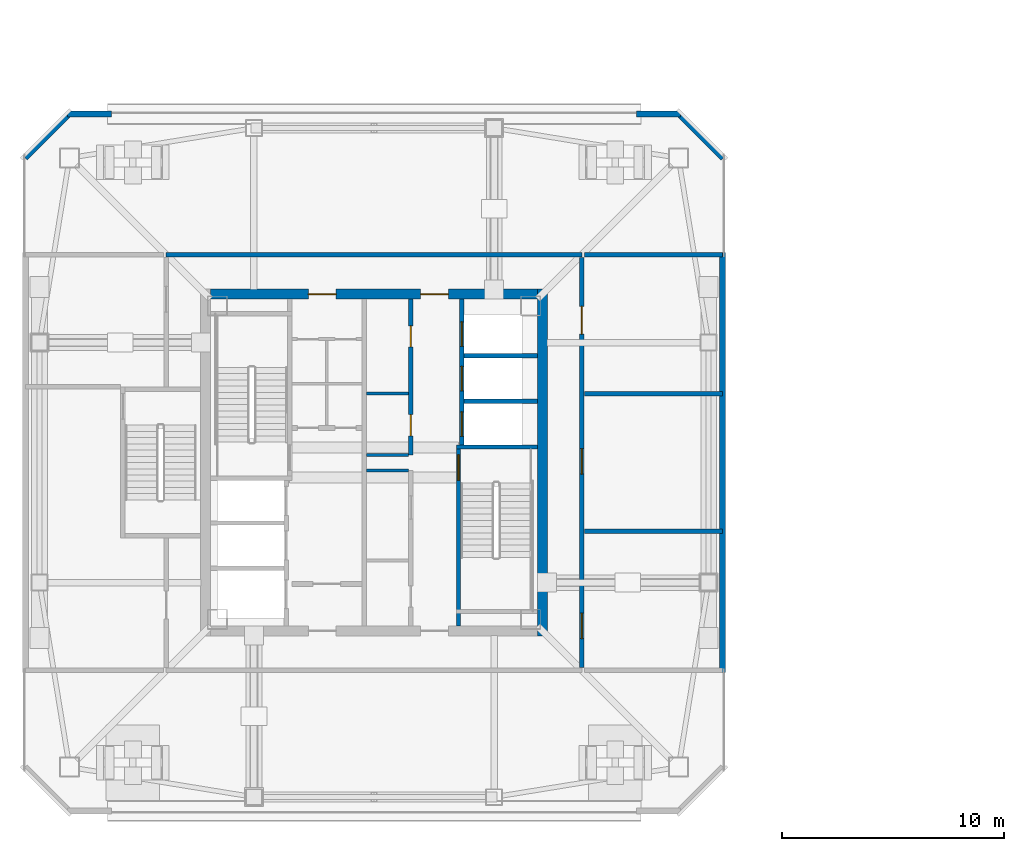
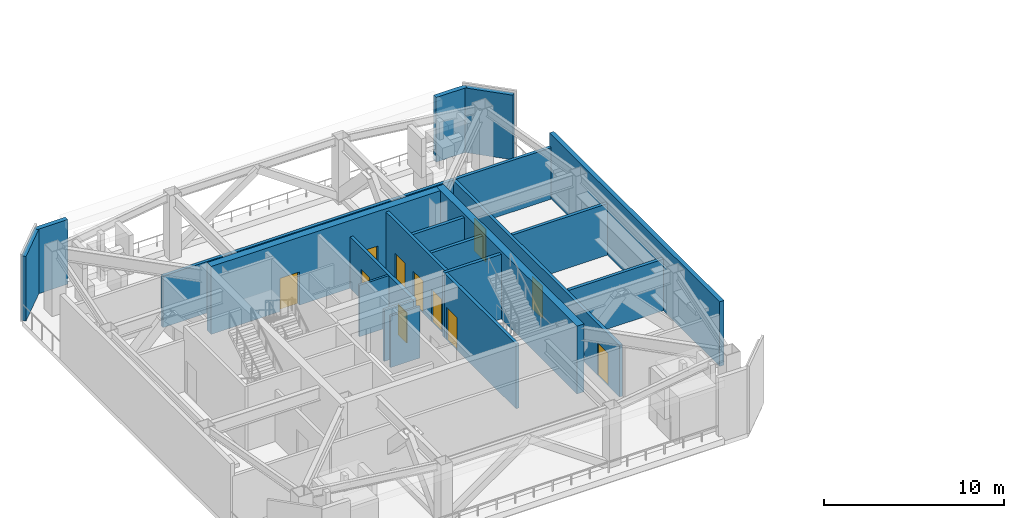
# One storey, part 6 of 15: 21 walls, 11 doors, 11 openings.
"""IFC4 building model written with IfcOpenShell, lengths in metres."""

from ifc_helpers import new_model, si_unit, direction, frame, frame_2d, origin, place, context, subcontext, project, spatial, rectangle, extrude, material, layer, layer_set, type_object, element, fill, save


model = new_model("IFC4")

# Units and contexts
model_context = context("Model", 3, precision=1e-05, world=origin(), true_north=direction((0.0, 1.0)))
body_context = subcontext(model_context, "Body", "Model", "MODEL_VIEW")
ifc_project = project(units=[si_unit("LENGTHUNIT", "METRE"), si_unit("AREAUNIT", "SQUARE_METRE"), si_unit("VOLUMEUNIT", "CUBIC_METRE"), si_unit("PLANEANGLEUNIT", "RADIAN"), si_unit("MASSUNIT", "GRAM", prefix="KILO")], contexts=[model_context])

# Site, building, storey
site_placement = place(None, origin())
site = spatial("IfcSite", under=ifc_project, at=site_placement, CompositionType="ELEMENT")
building_placement = place(site_placement, origin())
building = spatial("IfcBuilding", under=site, at=building_placement, Name="Tashvorn Skyway Center", CompositionType="ELEMENT")
storey_placement = place(building_placement, frame((0.0, 0.0, 246.800048828125)))
storey = spatial("IfcBuildingStorey", under=building, at=storey_placement, Name="L67", CompositionType="ELEMENT", Elevation=246.800048828125)

# Wall
ifc_material_1 = material(Name="Concrete C50/60", Category="concrete")
ifc_layer_1 = layer(ifc_material_1, 0.449951171875)
ifc_layer_set_1 = layer_set([ifc_layer_1], Name="Concrete C50/60")
wall_type_1 = type_object("IfcWallType", Name="WALL-CORE-450", PredefinedType="SHEAR", material=ifc_layer_set_1)
wall_1_placement = place(storey_placement, frame((49.574951171875, 39.800048828125, 0.0), z_axis=(0.0, 0.0, 1.0), x_axis=(0.0, -1.0, 0.0)))
element("IfcWall", 1, at=wall_1_placement, inside=storey, type_object=wall_type_1, Name="Tower 1 L67 East Core Shear Wall", PredefinedType="SHEAR", context=body_context, shape_type="SweptSolid", body=[
    extrude(rectangle(XDim=15.60009765625, YDim=0.449951171875, at=frame_2d((7.800048828125, 0.0))), origin(), (0.0, 0.0, 1.0), 4.599853515625),
])

# Wall, openings, doors
wall_2_placement = place(storey_placement, frame((34.64990234375, 39.574951171875, 0.0), z_axis=(0.0, 0.0, 1.0), x_axis=(1.0, 0.0, 0.0)))
wall_2 = element("IfcWall", 2, at=wall_2_placement, inside=storey, type_object=wall_type_1, Name="Tower 1 L67 North Core Shear Wall", PredefinedType="SHEAR", context=body_context, shape_type="SweptSolid", body=[
    extrude(rectangle(XDim=14.7001953125, YDim=0.449951171875, at=frame_2d((7.35009765625, 0.0))), origin(), (0.0, 0.0, 1.0), 4.599853515625),
])
opening_1_placement = place(wall_2_placement, frame((4.39990234375, 0.0, 0.0)))
opening_1 = element("IfcOpeningElement", 3, at=opening_1_placement, cuts=wall_2, Name="Opening D-FFL-1250", PredefinedType="OPENING", context=body_context, shape_type="SweptSolid", body=[
    extrude(rectangle(XDim=1.25, YDim=2.25, at=frame_2d((0.625, 1.125))), frame((0.0, 0.23486328125, 0.0), z_axis=(0.0, -1.0, 0.0), x_axis=(1.0, 0.0, 0.0)), (0.0, 0.0, 1.0), 0.469970703125),
])
opening_2_placement = place(wall_2_placement, frame((9.449951171875, 0.0, 0.0)))
opening_2 = element("IfcOpeningElement", 4, at=opening_2_placement, cuts=wall_2, Name="Opening D-FFL-1250", PredefinedType="OPENING", context=body_context, shape_type="SweptSolid", body=[
    extrude(rectangle(XDim=1.25, YDim=2.25, at=frame_2d((0.625, 1.125))), frame((0.0, 0.23486328125, 0.0), z_axis=(0.0, -1.0, 0.0), x_axis=(1.0, 0.0, 0.0)), (0.0, 0.0, 1.0), 0.469970703125),
])
ifc_material_2 = material(Name="Hollow galvanized steel fire door assembly", Category="steel")
door_type_1 = type_object("IfcDoorType", Name="DOOR-FFL-1250", OperationType="NOTDEFINED", PredefinedType="DOOR", material=ifc_material_2)
door_1_placement = place(opening_1_placement, origin())
door_1 = element("IfcDoor", 5, at=door_1_placement, inside=storey, type_object=door_type_1, Name="Tower 1 L67 Core North Service Lobby Door", OperationType="SINGLE_SWING_LEFT", OverallHeight=2.25, OverallWidth=1.25, PredefinedType="DOOR", context=body_context, shape_type="SweptSolid", body=[
    extrude(rectangle(XDim=1.25, YDim=2.25, at=frame_2d((0.625, 1.125))), frame((0.0, 0.02490234375, 0.0), z_axis=(0.0, -1.0, 0.0), x_axis=(1.0, 0.0, 0.0)), (0.0, 0.0, 1.0), 0.050048828125),
])
fill(opening_1, door_1)
door_2_placement = place(opening_2_placement, origin())
door_2 = element("IfcDoor", 6, at=door_2_placement, inside=storey, type_object=door_type_1, Name="Tower 1 L67 Core North Lift Lobby Door", OperationType="SINGLE_SWING_RIGHT", OverallHeight=2.25, OverallWidth=1.25, PredefinedType="DOOR", context=body_context, shape_type="SweptSolid", body=[
    extrude(rectangle(XDim=1.25, YDim=2.25, at=frame_2d((0.625, 1.125))), frame((0.0, 0.02490234375, 0.0), z_axis=(0.0, -1.0, 0.0), x_axis=(1.0, 0.0, 0.0)), (0.0, 0.0, 1.0), 0.050048828125),
])
fill(opening_2, door_2)

# Walls
ifc_material_3 = material(Name="Precast concrete C40/50", Category="concrete")
ifc_layer_2 = layer(ifc_material_3, 0.280029296875)
ifc_layer_set_2 = layer_set([ifc_layer_2], Name="Precast concrete C40/50")
wall_type_2 = type_object("IfcWallType", Name="WALL-EXT-280", PredefinedType="SOLIDWALL", material=ifc_layer_set_2)
for number, where, z_axis, x_axis, name in (
    (7, (28.219970703125, 47.679931640625, 0.0), (0.0, 0.0, 1.0), (1.0, 0.0, 0.0), "Tower 1 L67 North Spandrel Pier L"),
    (8, (53.800048828125, 47.679931640625, 0.0), (0.0, 0.0, 1.0), (1.0, 0.0, 0.0), "Tower 1 L67 North Spandrel Pier R"),
):
    element("IfcWall", number, at=place(storey_placement, frame(where, z_axis=z_axis, x_axis=x_axis)), inside=storey, type_object=wall_type_2, Name=name, PredefinedType="SOLIDWALL", context=body_context, shape_type="SweptSolid", body=[
        extrude(rectangle(XDim=1.97998046875, YDim=0.280029296875, at=frame_2d((0.989990234375, 0.0))), origin(), (0.0, 0.0, 1.0), 4.3798828125),
    ])
wall_3_placement = place(storey_placement, frame((57.679931640625, 41.449951171875, 0.0), z_axis=(0.0, 0.0, 1.0), x_axis=(0.0, -1.0, 0.0)))
element("IfcWall", 9, at=wall_3_placement, inside=storey, type_object=wall_type_2, Name="Tower 1 L67 East Plant Wing Wall", PredefinedType="SOLIDWALL", context=body_context, shape_type="SweptSolid", body=[
    extrude(rectangle(XDim=18.89990234375, YDim=0.280029296875, at=frame_2d((9.449951171875, 0.0))), origin(), (0.0, 0.0, 1.0), 4.3798828125),
])
for number, where, z_axis, x_axis, name in (
    (10, (26.300048828125, 45.699951171875, 0.0), (0.0, 0.0, 1.0), (0.707106781187, 0.707106781187, 0.0), "Tower 1 L67 NW Precast Chamfer Wall"),
    (11, (55.699951171875, 47.699951171875, 0.0), (0.0, 0.0, 1.0), (0.707106781187, -0.707106781187, 0.0), "Tower 1 L67 NE Precast Chamfer Wall"),
):
    element("IfcWall", number, at=place(storey_placement, frame(where, z_axis=z_axis, x_axis=x_axis)), inside=storey, type_object=wall_type_2, Name=name, PredefinedType="SOLIDWALL", context=body_context, shape_type="SweptSolid", body=[
        extrude(rectangle(XDim=2.828369140625, YDim=0.280029296875, at=frame_2d((1.4140625, 0.0))), origin(), (0.0, 0.0, 1.0), 4.3798828125),
    ])
ifc_material_4 = material(Name="Gypsum board on cold-formed steel stud framing", Category="steel")
ifc_layer_3 = layer(ifc_material_4, 0.135009765625)
ifc_layer_set_3 = layer_set([ifc_layer_3], Name="Gypsum board on cold-formed steel stud framing")
wall_type_3 = type_object("IfcWallType", Name="WALL-RATED-135", PredefinedType="PARTITIONING", material=ifc_layer_set_3)
for number, where, z_axis, x_axis, name in (
    (12, (41.669921875, 31.64990234375, 0.0), (0.0, 0.0, 1.0), (1.0, 0.0, 0.0), "Tower 1 L67 Core Room Partition"),
    (13, (41.669921875, 32.35009765625, 0.0), (0.0, 0.0, 1.0), (1.0, 0.0, 0.0), "Tower 1 L67 Core Room Partition"),
    (14, (41.669921875, 35.10009765625, 0.0), (0.0, 0.0, 1.0), (1.0, 0.0, 0.0), "Tower 1 L67 Freed Mid-Rise Partition"),
):
    element("IfcWall", number, at=place(storey_placement, frame(where, z_axis=z_axis, x_axis=x_axis)), inside=storey, type_object=wall_type_3, Name=name, PredefinedType="PARTITIONING", context=body_context, shape_type="SweptSolid", body=[
        extrude(rectangle(XDim=1.880126953125, YDim=0.135009765625, at=frame_2d((0.93994140625, 0.0))), origin(), (0.0, 0.0, 1.0), 3.490966796875),
    ])
ifc_material_5 = material(Name="Concrete C40/50", Category="concrete")
ifc_layer_4 = layer(ifc_material_5, 0.199951171875)
ifc_layer_set_4 = layer_set([ifc_layer_4], Name="Concrete C40/50")
wall_type_4 = type_object("IfcWallType", Name="WALL-SHAFT-200", PredefinedType="SOLIDWALL", material=ifc_layer_set_4)
for number, where, z_axis, x_axis, name in (
    (15, (46.050048828125, 34.75, 0.0), (0.0, 0.0, 1.0), (1.0, 0.0, 0.0), "Tower 1 L67 High-Rise Shaft Divider"),
    (16, (46.050048828125, 36.800048828125, 0.0), (0.0, 0.0, 1.0), (1.0, 0.0, 0.0), "Tower 1 L67 High-Rise Shaft Divider"),
):
    element("IfcWall", number, at=place(storey_placement, frame(where, z_axis=z_axis, x_axis=x_axis)), inside=storey, type_object=wall_type_4, Name=name, PredefinedType="SOLIDWALL", context=body_context, shape_type="SweptSolid", body=[
        extrude(rectangle(XDim=3.300048828125, YDim=0.199951171875, at=frame_2d((1.64990234375, 0.0))), origin(), (0.0, 0.0, 1.0), 4.3798828125),
    ])

# Wall, openings, doors
wall_4_placement = place(storey_placement, frame((43.64990234375, 32.35009765625, 0.0), z_axis=(0.0, 0.0, 1.0), x_axis=(0.0, 1.0, 0.0)))
wall_4 = element("IfcWall", 17, at=wall_4_placement, inside=storey, type_object=wall_type_4, Name="Tower 1 L67 Mid-Rise Core Wall", PredefinedType="SOLIDWALL", context=body_context, shape_type="SweptSolid", body=[
    extrude(rectangle(XDim=7.0, YDim=0.199951171875, at=frame_2d((3.5, 0.0))), origin(), (0.0, 0.0, 1.0), 3.490966796875),
])
opening_3_placement = place(wall_4_placement, frame((0.85009765625, 0.0, 0.0)))
opening_3 = element("IfcOpeningElement", 18, at=opening_3_placement, cuts=wall_4, Name="Opening D-RT-950", PredefinedType="OPENING", context=body_context, shape_type="SweptSolid", body=[
    extrude(rectangle(XDim=0.949951171875, YDim=2.050048828125, at=frame_2d((0.47509765625, 1.02490234375))), frame((0.0, 0.10986328125, 0.0), z_axis=(0.0, -1.0, 0.0), x_axis=(1.0, 0.0, 0.0)), (0.0, 0.0, 1.0), 0.219970703125),
])
opening_4_placement = place(wall_4_placement, frame((4.85009765625, 0.0, 0.0)))
opening_4 = element("IfcOpeningElement", 19, at=opening_4_placement, cuts=wall_4, Name="Opening D-RT-950", PredefinedType="OPENING", context=body_context, shape_type="SweptSolid", body=[
    extrude(rectangle(XDim=0.949951171875, YDim=2.050048828125, at=frame_2d((0.47509765625, 1.02490234375))), frame((0.0, 0.10986328125, 0.0), z_axis=(0.0, -1.0, 0.0), x_axis=(1.0, 0.0, 0.0)), (0.0, 0.0, 1.0), 0.219970703125),
])
door_type_2 = type_object("IfcDoorType", Name="DOOR-RATED-950", OperationType="NOTDEFINED", PredefinedType="DOOR", material=ifc_material_2)
door_3_placement = place(opening_3_placement, origin())
door_3 = element("IfcDoor", 20, at=door_3_placement, inside=storey, type_object=door_type_2, Name="Tower 1 L67 Core IT Room Door", OperationType="SINGLE_SWING_RIGHT", OverallHeight=2.050048828125, OverallWidth=0.949951171875, PredefinedType="DOOR", context=body_context, shape_type="SweptSolid", body=[
    extrude(rectangle(XDim=0.949951171875, YDim=2.050048828125, at=frame_2d((0.47509765625, 1.02490234375))), frame((0.0, 0.02490234375, 0.0), z_axis=(0.0, -1.0, 0.0), x_axis=(1.0, 0.0, 0.0)), (0.0, 0.0, 1.0), 0.050048828125),
])
fill(opening_3, door_3)
door_4_placement = place(opening_4_placement, origin())
door_4 = element("IfcDoor", 21, at=door_4_placement, inside=storey, type_object=door_type_2, Name="Tower 1 L67 Core Catering Pantry Door", OperationType="SINGLE_SWING_LEFT", OverallHeight=2.050048828125, OverallWidth=0.949951171875, PredefinedType="DOOR", context=body_context, shape_type="SweptSolid", body=[
    extrude(rectangle(XDim=0.949951171875, YDim=2.050048828125, at=frame_2d((0.47509765625, 1.02490234375))), frame((0.0, 0.02490234375, 0.0), z_axis=(0.0, -1.0, 0.0), x_axis=(1.0, 0.0, 0.0)), (0.0, 0.0, 1.0), 0.050048828125),
])
fill(opening_4, door_4)

# Wall
wall_5_placement = place(storey_placement, frame((32.64990234375, 41.35009765625, 0.0), z_axis=(0.0, 0.0, 1.0), x_axis=(1.0, 0.0, 0.0)))
element("IfcWall", 22, at=wall_5_placement, inside=storey, type_object=wall_type_4, Name="Tower 1 L67 Plant Collar North Wall", PredefinedType="SOLIDWALL", context=body_context, shape_type="SweptSolid", body=[
    extrude(rectangle(XDim=18.7001953125, YDim=0.199951171875, at=frame_2d((9.35009765625, 0.0))), origin(), (0.0, 0.0, 1.0), 3.490966796875),
])

# Wall, openings, doors
wall_6_placement = place(storey_placement, frame((51.35009765625, 41.22998046875, 0.0), z_axis=(0.0, 0.0, 1.0), x_axis=(0.0, -1.0, 0.0)))
wall_6 = element("IfcWall", 23, at=wall_6_placement, inside=storey, type_object=wall_type_4, Name="Tower 1 L67 Plant Collar East Wall", PredefinedType="SOLIDWALL", context=body_context, shape_type="SweptSolid", body=[
    extrude(rectangle(XDim=18.4599609375, YDim=0.199951171875, at=frame_2d((9.22998046875, 0.0))), origin(), (0.0, 0.0, 1.0), 3.490966796875),
])
opening_5_placement = place(wall_6_placement, frame((2.199951171875, 0.0, 0.0)))
opening_5 = element("IfcOpeningElement", 24, at=opening_5_placement, cuts=wall_6, Name="Opening D-FFL-1250", PredefinedType="OPENING", context=body_context, shape_type="SweptSolid", body=[
    extrude(rectangle(XDim=1.25, YDim=2.25, at=frame_2d((0.625, 1.125))), frame((0.0, 0.10986328125, 0.0), z_axis=(0.0, -1.0, 0.0), x_axis=(1.0, 0.0, 0.0)), (0.0, 0.0, 1.0), 0.219970703125),
])
opening_6_placement = place(wall_6_placement, frame((8.60009765625, 0.0, 0.0)))
opening_6 = element("IfcOpeningElement", 25, at=opening_6_placement, cuts=wall_6, Name="Opening D-ST-1150", PredefinedType="OPENING", context=body_context, shape_type="SweptSolid", body=[
    extrude(rectangle(XDim=1.14990234375, YDim=2.199951171875, at=frame_2d((0.574951171875, 1.10009765625))), frame((0.0, 0.10986328125, 0.0), z_axis=(0.0, -1.0, 0.0), x_axis=(1.0, 0.0, 0.0)), (0.0, 0.0, 1.0), 0.219970703125),
])
opening_7_placement = place(wall_6_placement, frame((16.0, 0.0, 0.0)))
opening_7 = element("IfcOpeningElement", 26, at=opening_7_placement, cuts=wall_6, Name="Opening D-ST-1150", PredefinedType="OPENING", context=body_context, shape_type="SweptSolid", body=[
    extrude(rectangle(XDim=1.14990234375, YDim=2.199951171875, at=frame_2d((0.574951171875, 1.10009765625))), frame((0.0, 0.10986328125, 0.0), z_axis=(0.0, -1.0, 0.0), x_axis=(1.0, 0.0, 0.0)), (0.0, 0.0, 1.0), 0.219970703125),
])
door_5_placement = place(opening_5_placement, origin())
door_5 = element("IfcDoor", 27, at=door_5_placement, inside=storey, type_object=door_type_1, Name="Tower 1 L67 East Refuge Area Door", OperationType="SINGLE_SWING_RIGHT", OverallHeight=2.25, OverallWidth=1.25, PredefinedType="DOOR", context=body_context, shape_type="SweptSolid", body=[
    extrude(rectangle(XDim=1.25, YDim=2.25, at=frame_2d((0.625, 1.125))), frame((0.0, 0.02490234375, 0.0), z_axis=(0.0, -1.0, 0.0), x_axis=(1.0, 0.0, 0.0)), (0.0, 0.0, 1.0), 0.050048828125),
])
fill(opening_5, door_5)
door_type_3 = type_object("IfcDoorType", Name="DOOR-STAIR-1150", OperationType="NOTDEFINED", PredefinedType="DOOR", material=ifc_material_2)
door_6_placement = place(opening_6_placement, origin())
door_6 = element("IfcDoor", 28, at=door_6_placement, inside=storey, type_object=door_type_3, Name="Tower 1 L67 Switchgear Plant Door", OperationType="SINGLE_SWING_LEFT", OverallHeight=2.199951171875, OverallWidth=1.14990234375, PredefinedType="DOOR", context=body_context, shape_type="SweptSolid", body=[
    extrude(rectangle(XDim=1.14990234375, YDim=2.199951171875, at=frame_2d((0.574951171875, 1.10009765625))), frame((0.0, 0.02490234375, 0.0), z_axis=(0.0, -1.0, 0.0), x_axis=(1.0, 0.0, 0.0)), (0.0, 0.0, 1.0), 0.050048828125),
])
fill(opening_6, door_6)
door_7_placement = place(opening_7_placement, origin())
door_7 = element("IfcDoor", 29, at=door_7_placement, inside=storey, type_object=door_type_3, Name="Tower 1 L67 Chiller Plant Door", OperationType="SINGLE_SWING_RIGHT", OverallHeight=2.199951171875, OverallWidth=1.14990234375, PredefinedType="DOOR", context=body_context, shape_type="SweptSolid", body=[
    extrude(rectangle(XDim=1.14990234375, YDim=2.199951171875, at=frame_2d((0.574951171875, 1.10009765625))), frame((0.0, 0.02490234375, 0.0), z_axis=(0.0, -1.0, 0.0), x_axis=(1.0, 0.0, 0.0)), (0.0, 0.0, 1.0), 0.050048828125),
])
fill(opening_7, door_7)

# Walls
for number, where, z_axis, x_axis, name in (
    (30, (51.469970703125, 41.35009765625, 0.0), (0.0, 0.0, 1.0), (1.0, 0.0, 0.0), "Tower 1 L67 Plant Wing Wall EN"),
    (31, (51.469970703125, 35.10009765625, 0.0), (0.0, 0.0, 1.0), (1.0, 0.0, 0.0), "Tower 1 L67 Plant Wing Wall EM1"),
    (32, (51.469970703125, 28.89990234375, 0.0), (0.0, 0.0, 1.0), (1.0, 0.0, 0.0), "Tower 1 L67 Plant Wing Wall EM2"),
):
    element("IfcWall", number, at=place(storey_placement, frame(where, z_axis=z_axis, x_axis=x_axis)), inside=storey, type_object=wall_type_4, Name=name, PredefinedType="SOLIDWALL", context=body_context, shape_type="SweptSolid", body=[
        extrude(rectangle(XDim=6.2099609375, YDim=0.199951171875, at=frame_2d((3.10498046875, 0.0))), origin(), (0.0, 0.0, 1.0), 3.490966796875),
    ])

# Wall, opening, door
ifc_layer_5 = layer(ifc_material_5, 0.199951171875)
ifc_layer_set_5 = layer_set([ifc_layer_5], Name="Concrete C40/50")
wall_type_5 = type_object("IfcWallType", Name="WALL-STSHF-200", PredefinedType="SHEAR", material=ifc_layer_set_5)
wall_7_placement = place(storey_placement, frame((45.800048828125, 32.800048828125, 0.0), z_axis=(0.0, 0.0, 1.0), x_axis=(0.0, -1.0, 0.0)))
wall_7 = element("IfcWall", 33, at=wall_7_placement, inside=storey, type_object=wall_type_5, Name="Tower 1 L67 Stair 2 Enclosure Wall", PredefinedType="SHEAR", context=body_context, shape_type="SweptSolid", body=[
    extrude(rectangle(XDim=8.150146484375, YDim=0.199951171875, at=frame_2d((4.0751953125, 0.0))), origin(), (0.0, 0.0, 1.0), 4.3798828125),
])
opening_8_placement = place(wall_7_placement, frame((0.449951171875, 0.0, 0.0)))
opening_8 = element("IfcOpeningElement", 34, at=opening_8_placement, cuts=wall_7, Name="Opening D-ST-1150", PredefinedType="OPENING", context=body_context, shape_type="SweptSolid", body=[
    extrude(rectangle(XDim=1.14990234375, YDim=2.199951171875, at=frame_2d((0.574951171875, 1.10009765625))), frame((0.0, 0.10986328125, 0.0), z_axis=(0.0, -1.0, 0.0), x_axis=(1.0, 0.0, 0.0)), (0.0, 0.0, 1.0), 0.219970703125),
])
door_8_placement = place(opening_8_placement, origin())
door_8 = element("IfcDoor", 35, at=door_8_placement, inside=storey, type_object=door_type_3, Name="Tower 1 L67 Exit Stair 2 Door", OperationType="SINGLE_SWING_RIGHT", OverallHeight=2.199951171875, OverallWidth=1.14990234375, PredefinedType="DOOR", context=body_context, shape_type="SweptSolid", body=[
    extrude(rectangle(XDim=1.14990234375, YDim=2.199951171875, at=frame_2d((0.574951171875, 1.10009765625))), frame((0.0, 0.02490234375, 0.0), z_axis=(0.0, -1.0, 0.0), x_axis=(1.0, 0.0, 0.0)), (0.0, 0.0, 1.0), 0.050048828125),
])
fill(opening_8, door_8)

# Wall
wall_8_placement = place(storey_placement, frame((45.699951171875, 32.699951171875, 0.0), z_axis=(0.0, 0.0, 1.0), x_axis=(1.0, 0.0, 0.0)))
element("IfcWall", 36, at=wall_8_placement, inside=storey, type_object=wall_type_5, Name="Tower 1 L67 Stair 2 North Wall", PredefinedType="SHEAR", context=body_context, shape_type="SweptSolid", body=[
    extrude(rectangle(XDim=3.650146484375, YDim=0.199951171875, at=frame_2d((1.8251953125, 0.0))), origin(), (0.0, 0.0, 1.0), 4.3798828125),
])

# Wall, openings, doors
wall_9_placement = place(storey_placement, frame((45.949951171875, 39.35009765625, 0.0), z_axis=(0.0, 0.0, 1.0), x_axis=(0.0, -1.0, 0.0)))
wall_9 = element("IfcWall", 37, at=wall_9_placement, inside=storey, type_object=wall_type_5, Name="Tower 1 L67 High-Rise Lift Shaft Front Wall", PredefinedType="SHEAR", context=body_context, shape_type="SweptSolid", body=[
    extrude(rectangle(XDim=6.550048828125, YDim=0.199951171875, at=frame_2d((3.27490234375, 0.0))), origin(), (0.0, 0.0, 1.0), 4.3798828125),
])
opening_9_placement = place(wall_9_placement, frame((5.074951171875, 0.0, 0.0)))
opening_9 = element("IfcOpeningElement", 38, at=opening_9_placement, cuts=wall_9, Name="Opening LD-HR-T1-1-L67", PredefinedType="OPENING", context=body_context, shape_type="SweptSolid", body=[
    extrude(rectangle(XDim=1.10009765625, YDim=2.199951171875, at=frame_2d((0.550048828125, 1.10009765625))), frame((0.0, 0.10986328125, 0.0), z_axis=(0.0, -1.0, 0.0), x_axis=(1.0, 0.0, 0.0)), (0.0, 0.0, 1.0), 0.219970703125),
])
opening_10_placement = place(wall_9_placement, frame((3.02490234375, 0.0, 0.0)))
opening_10 = element("IfcOpeningElement", 39, at=opening_10_placement, cuts=wall_9, Name="Opening LD-HR-T1-2-L67", PredefinedType="OPENING", context=body_context, shape_type="SweptSolid", body=[
    extrude(rectangle(XDim=1.10009765625, YDim=2.199951171875, at=frame_2d((0.550048828125, 1.10009765625))), frame((0.0, 0.10986328125, 0.0), z_axis=(0.0, -1.0, 0.0), x_axis=(1.0, 0.0, 0.0)), (0.0, 0.0, 1.0), 0.219970703125),
])
opening_11_placement = place(wall_9_placement, frame((1.02490234375, 0.0, 0.0)))
opening_11 = element("IfcOpeningElement", 40, at=opening_11_placement, cuts=wall_9, Name="Opening LD-HR-T1-3-L67", PredefinedType="OPENING", context=body_context, shape_type="SweptSolid", body=[
    extrude(rectangle(XDim=1.10009765625, YDim=2.199951171875, at=frame_2d((0.550048828125, 1.10009765625))), frame((0.0, 0.10986328125, 0.0), z_axis=(0.0, -1.0, 0.0), x_axis=(1.0, 0.0, 0.0)), (0.0, 0.0, 1.0), 0.219970703125),
])
ifc_material_6 = material(Name="Stainless steel landing door", Category="steel")
door_type_4 = type_object("IfcDoorType", Name="DOOR-LIFT-1100", OperationType="SLIDING_TO_LEFT", PredefinedType="DOOR", material=ifc_material_6)
door_9_placement = place(opening_9_placement, origin())
door_9 = element("IfcDoor", 41, at=door_9_placement, inside=storey, type_object=door_type_4, Name="Lift HR-T1-1 L67 Landing Door", OperationType="SLIDING_TO_LEFT", OverallHeight=2.199951171875, OverallWidth=1.10009765625, PredefinedType="DOOR", context=body_context, shape_type="SweptSolid", body=[
    extrude(rectangle(XDim=1.10009765625, YDim=2.199951171875, at=frame_2d((0.550048828125, 1.10009765625))), frame((0.0, 0.02490234375, 0.0), z_axis=(0.0, -1.0, 0.0), x_axis=(1.0, 0.0, 0.0)), (0.0, 0.0, 1.0), 0.050048828125),
])
fill(opening_9, door_9)
door_10_placement = place(opening_10_placement, origin())
door_10 = element("IfcDoor", 42, at=door_10_placement, inside=storey, type_object=door_type_4, Name="Lift HR-T1-2 L67 Landing Door", OperationType="SLIDING_TO_LEFT", OverallHeight=2.199951171875, OverallWidth=1.10009765625, PredefinedType="DOOR", context=body_context, shape_type="SweptSolid", body=[
    extrude(rectangle(XDim=1.10009765625, YDim=2.199951171875, at=frame_2d((0.550048828125, 1.10009765625))), frame((0.0, 0.02490234375, 0.0), z_axis=(0.0, -1.0, 0.0), x_axis=(1.0, 0.0, 0.0)), (0.0, 0.0, 1.0), 0.050048828125),
])
fill(opening_10, door_10)
door_11_placement = place(opening_11_placement, origin())
door_11 = element("IfcDoor", 43, at=door_11_placement, inside=storey, type_object=door_type_4, Name="Lift HR-T1-3 L67 Landing Door", OperationType="SLIDING_TO_LEFT", OverallHeight=2.199951171875, OverallWidth=1.10009765625, PredefinedType="DOOR", context=body_context, shape_type="SweptSolid", body=[
    extrude(rectangle(XDim=1.10009765625, YDim=2.199951171875, at=frame_2d((0.550048828125, 1.10009765625))), frame((0.0, 0.02490234375, 0.0), z_axis=(0.0, -1.0, 0.0), x_axis=(1.0, 0.0, 0.0)), (0.0, 0.0, 1.0), 0.050048828125),
])
fill(opening_11, door_11)

save(model, "model.ifc")
